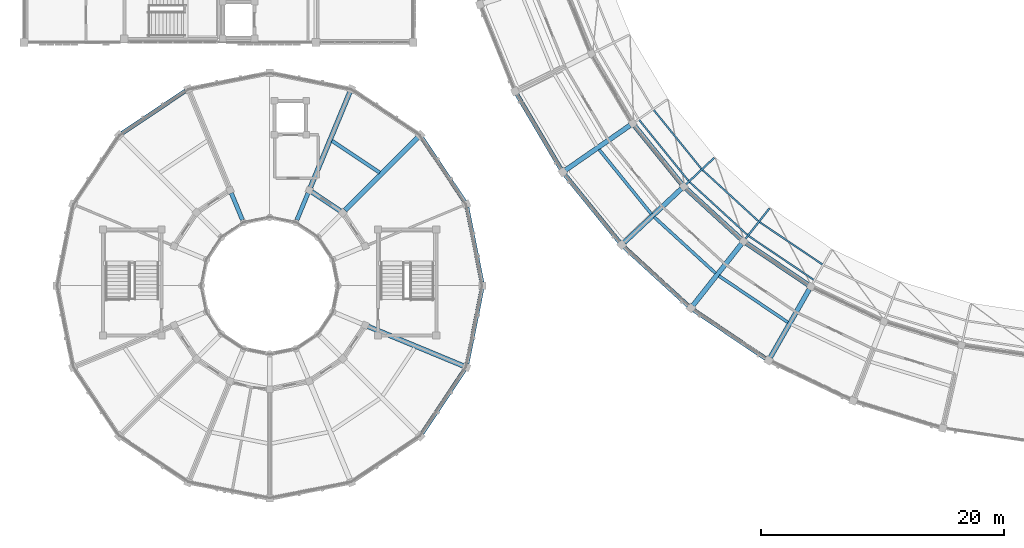
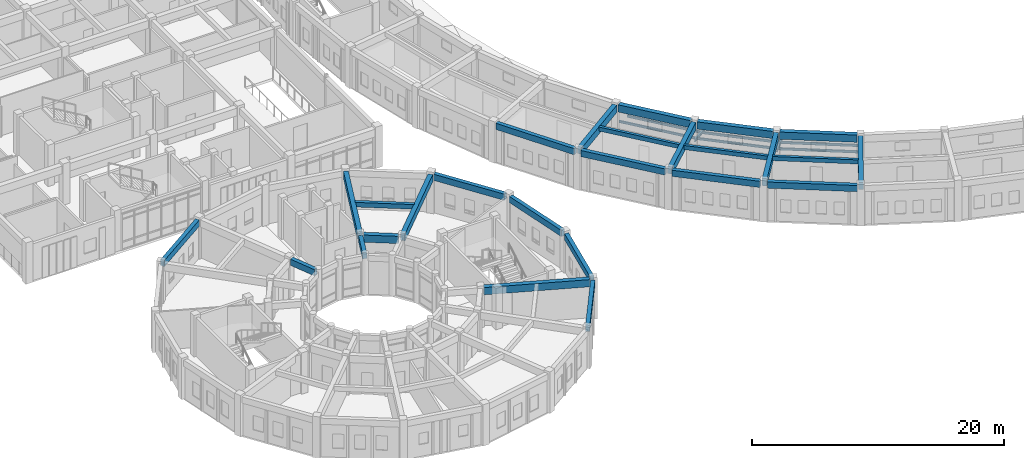
# One storey, part 16 of 112: 26 beams, 8 members.
"""IFC4 building model written with IfcOpenShell, lengths in metres."""

from ifc_helpers import new_model, si_unit, direction, frame, origin, origin_2d, place, context, subcontext, project, spatial, rectangle, i_section, extrude, material, material_profile, profile_set, type_object, element, save


model = new_model("IFC4")

# Units and contexts
model_context = context("Model", 3, precision=1e-05, world=origin(), true_north=direction((0.0, 1.0)))
body_context = subcontext(model_context, "Body", "Model", "MODEL_VIEW")
ifc_project = project(units=[si_unit("LENGTHUNIT", "METRE"), si_unit("AREAUNIT", "SQUARE_METRE"), si_unit("VOLUMEUNIT", "CUBIC_METRE"), si_unit("PLANEANGLEUNIT", "RADIAN"), si_unit("MASSUNIT", "GRAM", prefix="KILO")], contexts=[model_context])

# Site, building, storey
site_placement = place(None, origin())
site = spatial("IfcSite", under=ifc_project, at=site_placement, CompositionType="ELEMENT")
building_placement = place(site_placement, origin())
building = spatial("IfcBuilding", under=site, at=building_placement, Name="Celadon Cloister-Ring School", CompositionType="ELEMENT")
storey_placement = place(building_placement, frame((0.0, 0.0, 8.5)))
storey = spatial("IfcBuildingStorey", under=building, at=storey_placement, Name="L02", CompositionType="ELEMENT", Elevation=8.5)

# Beams
ifc_material_1 = material(Name="Concrete C35/45", Category="concrete")
ifc_material_profile_1 = material_profile(ifc_material_1, rectangle(XDim=0.35009765625, YDim=0.60009765625, at=origin_2d()), Name="RC350X600")
ifc_profile_set_1 = profile_set([ifc_material_profile_1], Name="Concrete C35/45")
beam_type_1 = type_object("IfcBeamType", Name="BT-02", PredefinedType="BEAM", material=ifc_profile_set_1)
for number, where, z_axis, x_axis, name in (
    (1, (23.35693359375, 27.6220703125, 3.47998046875), (-0.382555476978, -0.923932522988, 0.0), (0.923932522988, -0.382555476978, 0.0), "Beam 1002"),
    (2, (17.04296875, 27.6220703125, 3.47998046875), (0.382555476978, -0.923932522988, 0.0), (0.923932522988, 0.382555476978, 0.0), "Beam 1004"),
):
    element("IfcBeam", number, at=place(storey_placement, frame(where, z_axis=z_axis, x_axis=x_axis)), inside=storey, type_object=beam_type_1, Name=name, PredefinedType="BEAM", context=body_context, shape_type="SweptSolid", body=[
        extrude(rectangle(XDim=0.35009765625, YDim=0.60009765625, at=origin_2d()), origin(), (0.0, 0.0, 1.0), 2.399658203125),
    ])
ifc_material_2 = material(Name="Concrete C35/45", Category="concrete")
ifc_material_profile_2 = material_profile(ifc_material_2, rectangle(XDim=0.39990234375, YDim=0.699951171875, at=origin_2d()), Name="RC400X700")
ifc_profile_set_2 = profile_set([ifc_material_profile_2], Name="Concrete C35/45")
beam_type_2 = type_object("IfcBeamType", Name="GT-03", PredefinedType="USERDEFINED", material=ifc_profile_set_2)
beam_1_placement = place(storey_placement, frame((44.513916015625, 29.498046875, 3.449951171875), z_axis=(0.821508813068, 0.570195817286, 0.0), x_axis=(-0.570195817286, 0.821508813068, 0.0)))
element("IfcBeam", 3, at=beam_1_placement, inside=storey, type_object=beam_type_2, Name="Beam 0407", ObjectType="GIRDER", PredefinedType="USERDEFINED", context=body_context, shape_type="SweptSolid", body=[
    extrude(rectangle(XDim=0.39990234375, YDim=0.699951171875, at=origin_2d()), origin(), (0.0, 0.0, 1.0), 6.474853515625),
])
for number, where, z_axis, x_axis, name in (
    (4, (49.337890625, 23.5439453125, 3.449951171875), (0.728104801202, 0.685465825892, 0.0), (-0.685465825892, 0.728104801202, 0.0), "Beam 0408"),
    (5, (54.989990234375, 18.368896484375, 3.449951171875), (0.618778472882, 0.785565529729, 0.0), (-0.785565529729, 0.618778472882, 0.0), "Beam 0409"),
    (6, (61.343994140625, 14.0859375, 3.449951171875), (0.495992767918, 0.86832665177, 0.0), (-0.86832665177, 0.495992767918, 0.0), "Beam 0410"),
):
    element("IfcBeam", number, at=place(storey_placement, frame(where, z_axis=z_axis, x_axis=x_axis)), inside=storey, type_object=beam_type_2, Name=name, ObjectType="GIRDER", PredefinedType="USERDEFINED", context=body_context, shape_type="SweptSolid", body=[
        extrude(rectangle(XDim=0.39990234375, YDim=0.699951171875, at=origin_2d()), origin(), (0.0, 0.0, 1.0), 6.475830078125),
    ])
beam_2_placement = place(storey_placement, frame((50.195068359375, 33.138916015625, 3.449951171875), z_axis=(0.629626347121, -0.776898103364, 0.0), x_axis=(0.776898103364, 0.629626347121, 0.0)))
element("IfcBeam", 7, at=beam_2_placement, inside=storey, type_object=beam_type_2, Name="Beam 0461", ObjectType="GIRDER", PredefinedType="USERDEFINED", context=body_context, shape_type="SweptSolid", body=[
    extrude(rectangle(XDim=0.39990234375, YDim=0.699951171875, at=origin_2d()), origin(), (0.0, 0.0, 1.0), 6.166748046875),
])
beam_3_placement = place(storey_placement, frame((54.4189453125, 27.985107421875, 3.449951171875), z_axis=(0.737632141612, -0.675202801875, 0.0), x_axis=(0.675202801875, 0.737632141612, 0.0)))
element("IfcBeam", 8, at=beam_3_placement, inside=storey, type_object=beam_type_2, Name="Beam 0464", ObjectType="GIRDER", PredefinedType="USERDEFINED", context=body_context, shape_type="SweptSolid", body=[
    extrude(rectangle(XDim=0.39990234375, YDim=0.699951171875, at=origin_2d()), origin(), (0.0, 0.0, 1.0), 6.167236328125),
])
beam_4_placement = place(storey_placement, frame((59.35888671875, 23.511962890625, 3.449951171875), z_axis=(0.82929315026, -0.558813807033, 0.0), x_axis=(0.558813807033, 0.82929315026, 0.0)))
element("IfcBeam", 9, at=beam_4_placement, inside=storey, type_object=beam_type_2, Name="Beam 0467", ObjectType="GIRDER", PredefinedType="USERDEFINED", context=body_context, shape_type="SweptSolid", body=[
    extrude(rectangle(XDim=0.39990234375, YDim=0.699951171875, at=origin_2d()), origin(), (0.0, 0.0, 1.0), 6.166748046875),
])
beam_5_placement = place(storey_placement, frame((32.3798828125, 32.179931640625, 3.429931640625), z_axis=(-0.707106781187, -0.707106781187, 0.0), x_axis=(0.707106781187, -0.707106781187, 0.0)))
element("IfcBeam", 10, at=beam_5_placement, inside=storey, type_object=beam_type_2, Name="Beam 0999", ObjectType="GIRDER", PredefinedType="USERDEFINED", context=body_context, shape_type="SweptSolid", body=[
    extrude(rectangle(XDim=0.39990234375, YDim=0.699951171875, at=origin_2d()), origin(), (0.0, 0.0, 1.0), 8.475341796875),
])
for number, where, z_axis, x_axis, name in (
    (11, (26.7919921875, 35.9140625, 3.429931640625), (-0.382642680076, -0.923896411609, 0.0), (0.923896411609, -0.382642680076, 0.0), "Beam 1001"),
    (12, (36.114013671875, 13.407958984375, 3.429931640625), (-0.923896411609, 0.382642680076, 0.0), (-0.382642680076, -0.923896411609, 0.0), "Beam 1020"),
):
    element("IfcBeam", number, at=place(storey_placement, frame(where, z_axis=z_axis, x_axis=x_axis)), inside=storey, type_object=beam_type_2, Name=name, ObjectType="GIRDER", PredefinedType="USERDEFINED", context=body_context, shape_type="SweptSolid", body=[
        extrude(rectangle(XDim=0.39990234375, YDim=0.699951171875, at=origin_2d()), origin(), (0.0, 0.0, 1.0), 8.47509765625),
    ])
beam_6_placement = place(storey_placement, frame((26.001953125, 26.14892578125, 3.429931640625), z_axis=(-0.831315995752, 0.555800067657, 0.0), x_axis=(-0.555800067657, -0.831315995752, 0.0)))
element("IfcBeam", 13, at=beam_6_placement, inside=storey, type_object=beam_type_2, Name="Beam 1028", ObjectType="GIRDER", PredefinedType="USERDEFINED", context=body_context, shape_type="SweptSolid", body=[
    extrude(rectangle(XDim=0.39990234375, YDim=0.699951171875, at=origin_2d()), origin(), (0.0, 0.0, 1.0), 2.816162109375),
])
ifc_material_3 = material(Name="Concrete C35/45", Category="concrete")
ifc_material_profile_3 = material_profile(ifc_material_3, rectangle(XDim=0.300048828125, YDim=0.449951171875, at=origin_2d()), Name="RC300X450")
ifc_profile_set_3 = profile_set([ifc_material_profile_3], Name="Concrete C35/45")
beam_type_3 = type_object("IfcBeamType", Name="JT-01", PredefinedType="JOIST", material=ifc_profile_set_3)
beam_7_placement = place(storey_placement, frame((29.24609375, 29.2890625, 3.554931640625), z_axis=(-0.831333623542, 0.55577370068, 0.0), x_axis=(-0.55577370068, -0.831333623542, 0.0)))
element("IfcBeam", 14, at=beam_7_placement, inside=storey, type_object=beam_type_3, Name="Beam 1030", PredefinedType="JOIST", context=body_context, shape_type="SweptSolid", body=[
    extrude(rectangle(XDim=0.300048828125, YDim=0.449951171875, at=origin_2d()), origin(), (0.0, 0.0, 1.0), 4.721435546875),
])
ifc_material_4 = material(Name="Concrete C35/45", Category="concrete")
ifc_material_profile_4 = material_profile(ifc_material_4, rectangle(XDim=0.25, YDim=0.39990234375, at=origin_2d()), Name="RC250X400")
ifc_profile_set_4 = profile_set([ifc_material_profile_4], Name="Concrete C35/45")
beam_type_4 = type_object("IfcBeamType", Name="JT-02", PredefinedType="JOIST", material=ifc_profile_set_4)
beam_8_placement = place(storey_placement, frame((47.27294921875, 31.200927734375, 3.60009765625), z_axis=(0.629687207375, -0.776848776062, 0.0), x_axis=(0.776848776062, 0.629687207375, 0.0)))
element("IfcBeam", 15, at=beam_8_placement, inside=storey, type_object=beam_type_4, Name="Beam 0462", PredefinedType="JOIST", context=body_context, shape_type="SweptSolid", body=[
    extrude(rectangle(XDim=0.25, YDim=0.39990234375, at=origin_2d()), origin(), (0.0, 0.0, 1.0), 6.8349609375),
])
beam_9_placement = place(storey_placement, frame((51.81591796875, 25.636962890625, 3.60009765625), z_axis=(0.737515802412, -0.675329875833, 0.0), x_axis=(0.675329875833, 0.737515802412, 0.0)))
element("IfcBeam", 16, at=beam_9_placement, inside=storey, type_object=beam_type_4, Name="Beam 0465", PredefinedType="JOIST", context=body_context, shape_type="SweptSolid", body=[
    extrude(rectangle(XDim=0.25, YDim=0.39990234375, at=origin_2d()), origin(), (0.0, 0.0, 1.0), 6.835205078125),
])
beam_10_placement = place(storey_placement, frame((57.131103515625, 20.804931640625, 3.60009765625), z_axis=(0.829176460094, -0.558986939048, 0.0), x_axis=(0.558986939048, 0.829176460094, 0.0)))
element("IfcBeam", 17, at=beam_10_placement, inside=storey, type_object=beam_type_4, Name="Beam 0468", PredefinedType="JOIST", context=body_context, shape_type="SweptSolid", body=[
    extrude(rectangle(XDim=0.25, YDim=0.39990234375, at=origin_2d()), origin(), (0.0, 0.0, 1.0), 6.835693359375),
])

# Members
ifc_material_5 = material(Name="Structural steel S355JR", Category="steel")
ifc_material_profile_5 = material_profile(ifc_material_5, i_section(OverallWidth=0.133056640625, OverallDepth=0.20703125, WebThickness=0.005859375, FlangeThickness=0.00830078125, at=origin_2d()), Name="W200X27")
ifc_profile_set_5 = profile_set([ifc_material_profile_5], Name="Structural steel S355JR")
member_type_1 = type_object("IfcMemberType", Name="MP-04", PredefinedType="PURLIN", material=ifc_profile_set_5)
member_1_placement = place(storey_placement, frame((51.720947265625, 34.5029296875, 1.23291015625), z_axis=(0.629664944738, -0.77686682087, 0.0), x_axis=(0.77686682087, 0.629664944738, 0.0)))
element("IfcMember", 18, at=member_1_placement, inside=storey, type_object=member_type_1, Name="Structural Member 0131", PredefinedType="PURLIN", context=body_context, shape_type="SweptSolid", body=[
    extrude(i_section(OverallWidth=0.133056640625, OverallDepth=0.20703125, WebThickness=0.005859375, FlangeThickness=0.00830078125, at=origin_2d()), origin(), (0.0, 0.0, 1.0), 6.36376953125),
])
member_2_placement = place(storey_placement, frame((50.530029296875, 33.676025390625, 1.62890625), z_axis=(0.629615554014, -0.776906850365, 0.0), x_axis=(0.776906850365, 0.629615554014, 0.0)))
element("IfcMember", 19, at=member_2_placement, inside=storey, type_object=member_type_1, Name="Structural Member 0132", PredefinedType="PURLIN", context=body_context, shape_type="SweptSolid", body=[
    extrude(i_section(OverallWidth=0.133056640625, OverallDepth=0.20703125, WebThickness=0.005859375, FlangeThickness=0.00830078125, at=origin_2d()), origin(), (0.0, 0.0, 1.0), 6.578857421875),
])
member_3_placement = place(storey_placement, frame((55.72802734375, 29.55908203125, 1.23291015625), z_axis=(0.737520342985, -0.67532491712, 0.0), x_axis=(0.67532491712, 0.737520342985, 0.0)))
element("IfcMember", 20, at=member_3_placement, inside=storey, type_object=member_type_1, Name="Structural Member 0136", PredefinedType="PURLIN", context=body_context, shape_type="SweptSolid", body=[
    extrude(i_section(OverallWidth=0.133056640625, OverallDepth=0.20703125, WebThickness=0.005859375, FlangeThickness=0.00830078125, at=origin_2d()), origin(), (0.0, 0.0, 1.0), 6.363037109375),
])
member_4_placement = place(storey_placement, frame((54.672119140625, 28.56494140625, 1.62890625), z_axis=(0.737509956532, -0.67533625996, 0.0), x_axis=(0.67533625996, 0.737509956532, 0.0)))
element("IfcMember", 21, at=member_4_placement, inside=storey, type_object=member_type_1, Name="Structural Member 0137", PredefinedType="PURLIN", context=body_context, shape_type="SweptSolid", body=[
    extrude(i_section(OverallWidth=0.133056640625, OverallDepth=0.20703125, WebThickness=0.005859375, FlangeThickness=0.00830078125, at=origin_2d()), origin(), (0.0, 0.0, 1.0), 6.577392578125),
])
member_5_placement = place(storey_placement, frame((60.4208984375, 25.261962890625, 1.23291015625), z_axis=(0.829247484515, -0.558881570125, 0.0), x_axis=(0.558881570125, 0.829247484515, 0.0)))
element("IfcMember", 22, at=member_5_placement, inside=storey, type_object=member_type_1, Name="Structural Member 0141", PredefinedType="PURLIN", context=body_context, shape_type="SweptSolid", body=[
    extrude(i_section(OverallWidth=0.133056640625, OverallDepth=0.20703125, WebThickness=0.005859375, FlangeThickness=0.00830078125, at=origin_2d()), origin(), (0.0, 0.0, 1.0), 6.362548828125),
])
member_6_placement = place(storey_placement, frame((59.52294921875, 24.123046875, 1.62890625), z_axis=(0.829235761347, -0.558898964127, 0.0), x_axis=(0.558898964127, 0.829235761347, 0.0)))
element("IfcMember", 23, at=member_6_placement, inside=storey, type_object=member_type_1, Name="Structural Member 0142", PredefinedType="PURLIN", context=body_context, shape_type="SweptSolid", body=[
    extrude(i_section(OverallWidth=0.133056640625, OverallDepth=0.20703125, WebThickness=0.005859375, FlangeThickness=0.00830078125, at=origin_2d()), origin(), (0.0, 0.0, 1.0), 6.5771484375),
])
ifc_material_6 = material(Name="Structural steel S355JR", Category="steel")
ifc_material_profile_6 = material_profile(ifc_material_6, i_section(OverallWidth=0.14599609375, OverallDepth=0.258056640625, WebThickness=0.006103515625, FlangeThickness=0.009033203125, at=origin_2d()), Name="W250X33")
ifc_profile_set_6 = profile_set([ifc_material_profile_6], Name="Structural steel S355JR")
member_type_2 = type_object("IfcMemberType", Name="MR-06", PredefinedType="RAFTER", material=ifc_profile_set_6)
for number, where, z_axis, x_axis, name in (
    (24, (56.7109375, 30.485107421875, 0.912109375), (-0.703193987834, -0.662297520674, 0.258612083213), (0.685621501791, -0.727958210532, 0.0), "Structural Member 0025"),
    (25, (61.256103515625, 26.322998046875, 0.912109375), (-0.597683158078, -0.758876707954, 0.258613581766), (0.785602222618, -0.618731886861, 0.0), "Structural Member 0027"),
):
    element("IfcMember", number, at=place(storey_placement, frame(where, z_axis=z_axis, x_axis=x_axis)), inside=storey, type_object=member_type_2, Name=name, PredefinedType="RAFTER", context=body_context, shape_type="SweptSolid", body=[
        extrude(i_section(OverallWidth=0.14599609375, OverallDepth=0.258056640625, WebThickness=0.006103515625, FlangeThickness=0.009033203125, at=origin_2d()), origin(), (0.0, 0.0, 1.0), 3.468505859375),
    ])

# Beams
ifc_material_7 = material(Name="Concrete C35/45", Category="concrete")
ifc_material_profile_7 = material_profile(ifc_material_7, rectangle(XDim=0.35009765625, YDim=0.60009765625, at=origin_2d()), Name="RC350X600")
ifc_profile_set_7 = profile_set([ifc_material_profile_7], Name="Concrete C35/45")
beam_type_5 = type_object("IfcBeamType", Name="SP-01", PredefinedType="SPANDREL", material=ifc_profile_set_7)
beam_11_placement = place(storey_placement, frame((40.514892578125, 35.739990234375, 3.5), z_axis=(0.507880480168, -0.861427546498, 0.0), x_axis=(0.861427546498, 0.507880480168, 0.0)))
element("IfcBeam", 26, at=beam_11_placement, inside=storey, type_object=beam_type_5, Name="Beam 0457", PredefinedType="SPANDREL", context=body_context, shape_type="SweptSolid", body=[
    extrude(rectangle(XDim=0.35009765625, YDim=0.60009765625, at=origin_2d()), origin(), (0.0, 0.0, 1.0), 7.1533203125),
])
beam_12_placement = place(storey_placement, frame((44.4609375, 29.126953125, 3.5), z_axis=(0.629681176421, -0.776853664509, 0.0), x_axis=(0.776853664509, 0.629681176421, 0.0)))
element("IfcBeam", 27, at=beam_12_placement, inside=storey, type_object=beam_type_5, Name="Beam 0460", PredefinedType="SPANDREL", context=body_context, shape_type="SweptSolid", body=[
    extrude(rectangle(XDim=0.35009765625, YDim=0.60009765625, at=origin_2d()), origin(), (0.0, 0.0, 1.0), 7.153076171875),
])
for number, where, z_axis, x_axis, name in (
    (28, (49.341064453125, 23.169921875, 3.5), (0.737530862868, -0.675313428208, 0.0), (0.675313428208, 0.737530862868, 0.0), "Beam 0463"),
    (29, (55.048095703125, 17.9990234375, 3.5), (0.829235824362, -0.558898870632, 0.0), (0.558898870632, 0.829235824362, 0.0), "Beam 0466"),
):
    element("IfcBeam", number, at=place(storey_placement, frame(where, z_axis=z_axis, x_axis=x_axis)), inside=storey, type_object=beam_type_5, Name=name, PredefinedType="SPANDREL", context=body_context, shape_type="SweptSolid", body=[
        extrude(rectangle(XDim=0.35009765625, YDim=0.60009765625, at=origin_2d()), origin(), (0.0, 0.0, 1.0), 7.1533203125),
    ])
for number, where, z_axis, x_axis, name in (
    (30, (37.64599609375, 20.27001953125, 3.47998046875), (-0.194964206518, 0.980810357907, 0.0), (-0.980810357907, -0.194964206518, 0.0), "Beam 1022"),
    (31, (36.215087890625, 26.926025390625, 3.47998046875), (-0.555660177561, 0.831409506244, 0.0), (-0.831409506244, -0.555660177561, 0.0), "Beam 1024"),
):
    element("IfcBeam", number, at=place(storey_placement, frame(where, z_axis=z_axis, x_axis=x_axis)), inside=storey, type_object=beam_type_5, Name=name, PredefinedType="SPANDREL", context=body_context, shape_type="SweptSolid", body=[
        extrude(rectangle(XDim=0.35009765625, YDim=0.60009765625, at=origin_2d()), origin(), (0.0, 0.0, 1.0), 6.27734375),
    ])
beam_13_placement = place(storey_placement, frame((13.27392578125, 36.014892578125, 3.47998046875), z_axis=(-0.831427473898, -0.555633292422, 0.0), x_axis=(0.555633292422, -0.831427473898, 0.0)))
element("IfcBeam", 32, at=beam_13_placement, inside=storey, type_object=beam_type_5, Name="Beam 1035", PredefinedType="SPANDREL", context=body_context, shape_type="SweptSolid", body=[
    extrude(rectangle(XDim=0.35009765625, YDim=0.60009765625, at=origin_2d()), origin(), (0.0, 0.0, 1.0), 6.277099609375),
])
for number, where, z_axis, x_axis, name in (
    (33, (32.72705078125, 7.85498046875, 3.47998046875), (0.555660177561, 0.831409506244, 0.0), (-0.831409506244, 0.555660177561, 0.0), "Beam 1066"),
    (34, (36.422119140625, 13.572998046875, 3.47998046875), (0.194964206518, 0.980810357907, 0.0), (-0.980810357907, 0.194964206518, 0.0), "Beam 1070"),
):
    element("IfcBeam", number, at=place(storey_placement, frame(where, z_axis=z_axis, x_axis=x_axis)), inside=storey, type_object=beam_type_5, Name=name, PredefinedType="SPANDREL", context=body_context, shape_type="SweptSolid", body=[
        extrude(rectangle(XDim=0.35009765625, YDim=0.60009765625, at=origin_2d()), origin(), (0.0, 0.0, 1.0), 6.27734375),
    ])

save(model, "model.ifc")
